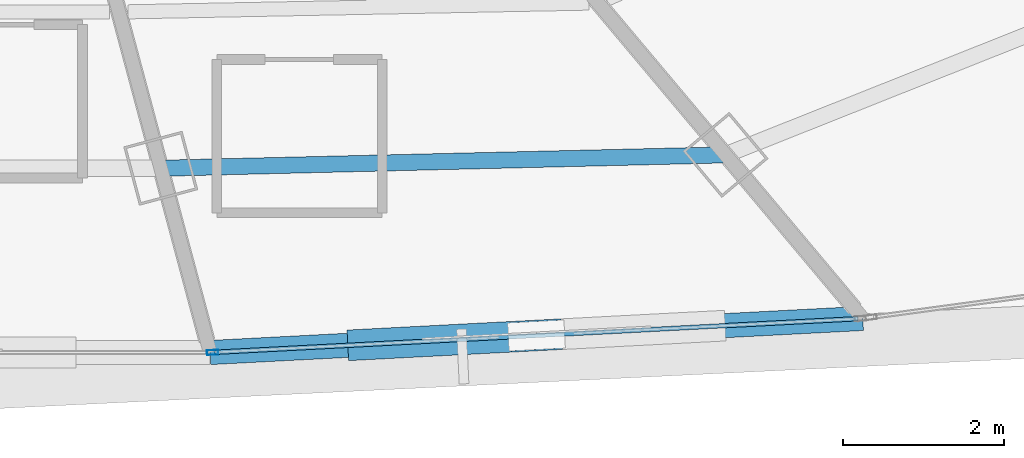
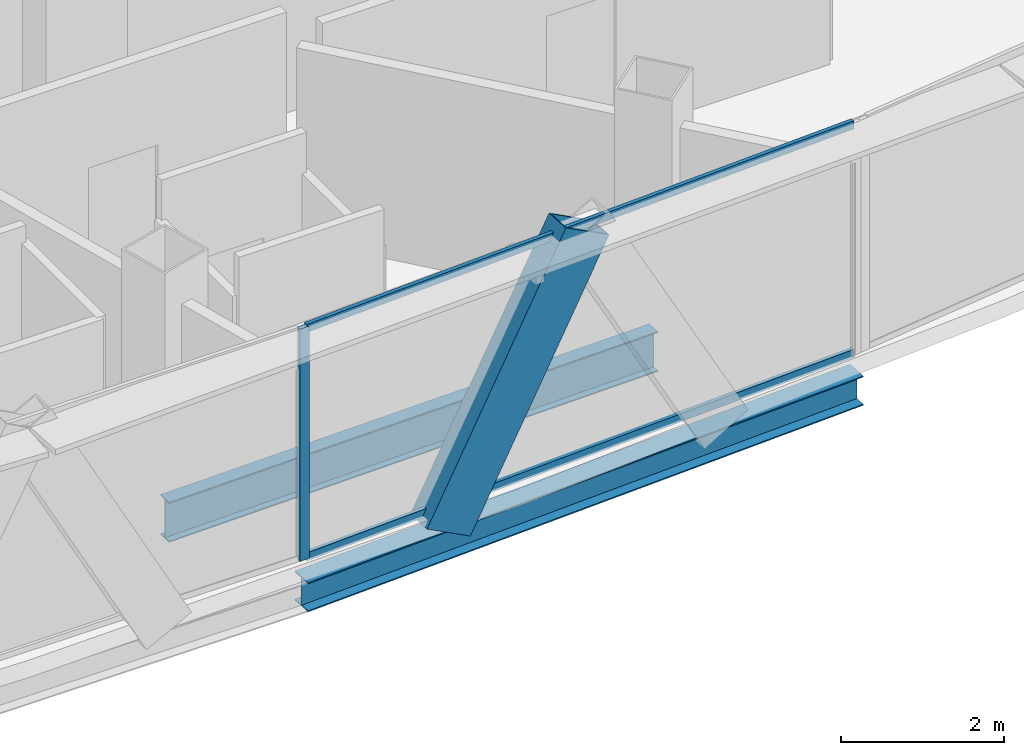
# One storey, part 10 of 40: 4 members, 2 beams, 1 element without a shape of its own.
"""IFC4 building model written with IfcOpenShell, lengths in metres."""

from ifc_helpers import new_model, si_unit, direction, frame, origin, origin_2d, place, context, subcontext, project, spatial, hollow_rectangle, i_section, extrude, source, transform, mapped, material, layer, layer_set, material_profile, profile_set, type_object, element, aggregate, save


model = new_model("IFC4")

# Units and contexts
model_context = context("Model", 3, precision=1e-05, world=origin(), true_north=direction((0.0, 1.0)))
body_context = subcontext(model_context, "Body", "Model", "MODEL_VIEW")
ifc_project = project(units=[si_unit("LENGTHUNIT", "METRE"), si_unit("AREAUNIT", "SQUARE_METRE"), si_unit("VOLUMEUNIT", "CUBIC_METRE"), si_unit("PLANEANGLEUNIT", "RADIAN"), si_unit("MASSUNIT", "GRAM", prefix="KILO"), si_unit("THERMODYNAMICTEMPERATUREUNIT", "KELVIN"), si_unit("POWERUNIT", "WATT")], contexts=[model_context])

# Site, building, storey
site_placement = place(None, origin())
site = spatial("IfcSite", under=ifc_project, at=site_placement, CompositionType="ELEMENT")
building_placement = place(site_placement, origin())
building = spatial("IfcBuilding", under=site, at=building_placement, Name="Yunzhuo Pagoda Commons", CompositionType="ELEMENT")
storey_placement = place(building_placement, frame((0.0, 0.0, 292.47998046875)))
storey = spatial("IfcBuildingStorey", under=building, at=storey_placement, Name="L73", CompositionType="ELEMENT", Elevation=292.47998046875)

# Beams
ifc_material_1 = material(Name="Structural steel Q355B", Category="steel")
ifc_material_profile_1 = material_profile(ifc_material_1, i_section(OverallWidth=0.199951171875, OverallDepth=0.60009765625, WebThickness=0.010986328125, FlangeThickness=0.01708984375, at=origin_2d()), Name="Structural steel Q355B")
ifc_profile_set_1 = profile_set([ifc_material_profile_1], Name="Structural steel Q355B")
beam_type_1 = type_object("IfcBeamType", Name="B-RG3 Beam HN 600x200x11x17", PredefinedType="BEAM", material=ifc_profile_set_1)
shared_shape_1 = source(origin(), body_context, "Body", "SweptSolid", [
    extrude(i_section(OverallWidth=0.199951171875, OverallDepth=0.60009765625, WebThickness=0.010986328125, FlangeThickness=0.01708984375, at=origin_2d()), origin(), (0.0, 0.0, 1.0), 7.0048828125),
])
beam_1_placement = place(storey_placement, frame((51.3505859375, 21.195556640625, -0.56005859375), z_axis=(0.99971911704, 0.023699937233, 0.0), x_axis=(-0.023699937233, 0.99971911704, 0.0)))
element("IfcBeam", 1, at=beam_1_placement, inside=storey, type_object=beam_type_1, Name="L73 column-ring beam 3", PredefinedType="BEAM", context=body_context, shape_type="MappedRepresentation", body=[
    mapped(shared_shape_1, transform((0.0, 0.0, 0.0), scale=1.0)),
])
ifc_material_profile_2 = material_profile(ifc_material_1, i_section(OverallWidth=0.300048828125, OverallDepth=0.43994140625, WebThickness=0.010986328125, FlangeThickness=0.01806640625, at=origin_2d()), Name="Structural steel Q355B")
ifc_profile_set_2 = profile_set([ifc_material_profile_2], Name="Structural steel Q355B")
beam_type_2 = type_object("IfcBeamType", Name="B-SP2 Beam HM 440x300x11x18", PredefinedType="BEAM", material=ifc_profile_set_2)
shared_shape_2 = source(origin(), body_context, "Body", "SweptSolid", [
    extrude(i_section(OverallWidth=0.300048828125, OverallDepth=0.43994140625, WebThickness=0.010986328125, FlangeThickness=0.01806640625, at=origin_2d()), origin(), (0.0, 0.0, 1.0), 8.10302734375),
])
beam_2_placement = place(storey_placement, frame((51.962890625, 18.910888671875, -0.47998046875), z_axis=(0.998639054255, 0.052153996166, 0.0), x_axis=(-0.052153996166, 0.998639054255, 0.0)))
element("IfcBeam", 2, at=beam_2_placement, inside=storey, type_object=beam_type_2, Name="L73 facade edge spandrel beam F1.3", PredefinedType="BEAM", context=body_context, shape_type="MappedRepresentation", body=[
    mapped(shared_shape_2, transform((0.0, 0.0, 0.0), scale=1.0)),
])

# Member
ifc_material_profile_3 = material_profile(ifc_material_1, hollow_rectangle(XDim=0.3798828125, YDim=0.719970703125, WallThickness=0.02001953125, at=origin_2d()), Name="Structural steel Q355B")
ifc_profile_set_3 = profile_set([ifc_material_profile_3], Name="Structural steel Q355B")
member_type_1 = type_object("IfcMemberType", Name="M-DL3 Brace BOX 720x380x20", PredefinedType="BRACE", material=ifc_profile_set_3)
shared_shape_3 = source(origin(), body_context, "Body", "SweptSolid", [
    extrude(hollow_rectangle(XDim=0.3798828125, YDim=0.719970703125, WallThickness=0.02001953125, at=origin_2d()), origin(), (0.0, 0.0, 1.0), 4.24462890625),
])
member_1_placement = place(storey_placement, frame((53.98583984375, 19.016357421875, -0.260009765625), z_axis=(0.476598580338, 0.02490552562, 0.878768176491), x_axis=(-0.052185613721, 0.998637402524, 0.0)))
element("IfcMember", 3, at=member_1_placement, inside=storey, type_object=member_type_1, Name="L73 facade diamond brace F1.3L", PredefinedType="BRACE", context=body_context, shape_type="MappedRepresentation", body=[
    mapped(shared_shape_3, transform((0.0, 0.0, 0.0), scale=1.0)),
])

# Curtain wall, members
ifc_material_2 = material(Name="Anodized aluminium 6063-T6", Category="aluminium")
ifc_layer = layer(ifc_material_2, 0.139892578125)
ifc_layer_set = layer_set([ifc_layer], Name="Anodized aluminium 6063-T6")
curtain_wall_type = type_object("IfcCurtainWallType", Name="CW-HI High-Zone Ribbon Curtain Wall", PredefinedType="NOTDEFINED", material=ifc_layer_set)
curtain_wall_placement = place(storey_placement, origin())
curtain_wall = element("IfcCurtainWall", 4, at=curtain_wall_placement, inside=storey, type_object=curtain_wall_type, Name="L73 curtain wall CW-L73-F1B4", PredefinedType="NOTDEFINED")
ifc_material_profile_4 = material_profile(ifc_material_2, hollow_rectangle(XDim=0.06005859375, YDim=0.139892578125, WallThickness=0.00341796875, at=origin_2d()), Name="Anodized aluminium 6063-T6")
ifc_profile_set_4 = profile_set([ifc_material_profile_4], Name="Anodized aluminium 6063-T6")
member_type_2 = type_object("IfcMemberType", Name="CW-HI-M Mullion RHS 140x60x3.5", PredefinedType="MULLION", material=ifc_profile_set_4)
shared_shape_4 = source(origin(), body_context, "Body", "SweptSolid", [
    extrude(hollow_rectangle(XDim=0.06005859375, YDim=0.139892578125, WallThickness=0.00341796875, at=origin_2d()), origin(), (0.0, 0.0, 1.0), 3.4697265625),
])
member_2_placement = place(storey_placement, frame((51.99267578125, 18.912109375, 0.000244140625), z_axis=(0.0, 0.0, 1.0), x_axis=(-0.052189625547, 0.998637192871, 0.0)))
member_2 = element("IfcMember", 5, at=member_2_placement, type_object=member_type_2, Name="CW mullion 1", PredefinedType="MULLION", context=body_context, shape_type="MappedRepresentation", body=[
    mapped(shared_shape_4, transform((0.0, 0.0, 0.0), scale=1.0)),
])
ifc_material_profile_5 = material_profile(ifc_material_2, hollow_rectangle(XDim=0.054931640625, YDim=0.1201171875, WallThickness=0.00341796875, at=origin_2d()), Name="Anodized aluminium 6063-T6")
ifc_profile_set_5 = profile_set([ifc_material_profile_5], Name="Anodized aluminium 6063-T6")
member_type_3 = type_object("IfcMemberType", Name="CW-HI-T Transom RHS 120x55x3.5", PredefinedType="USERDEFINED", material=ifc_profile_set_5)
shared_shape_5 = source(origin(), body_context, "Body", "SweptSolid", [
    extrude(hollow_rectangle(XDim=0.054931640625, YDim=0.1201171875, WallThickness=0.00341796875, at=origin_2d()), origin(), (0.0, 0.0, 1.0), 7.983154296875),
])
member_3_placement = place(storey_placement, frame((52.022705078125, 18.913818359375, 0.027587890625), z_axis=(0.998638030657, 0.052173592218, 0.0), x_axis=(-0.052173592218, 0.998638030657, 0.0)))
member_3 = element("IfcMember", 6, at=member_3_placement, type_object=member_type_3, Name="CW transom 1.1", ObjectType="TRANSOM", PredefinedType="USERDEFINED", context=body_context, shape_type="MappedRepresentation", body=[
    mapped(shared_shape_5, transform((0.0, 0.0, 0.0), scale=1.0)),
])
member_4_placement = place(storey_placement, frame((52.022705078125, 18.913818359375, 3.442626953125), z_axis=(0.998638030657, 0.052173592218, 0.0), x_axis=(-0.052173592218, 0.998638030657, 0.0)))
member_4 = element("IfcMember", 7, at=member_4_placement, type_object=member_type_3, Name="CW transom 1.2", ObjectType="TRANSOM", PredefinedType="USERDEFINED", context=body_context, shape_type="MappedRepresentation", body=[
    mapped(shared_shape_5, transform((0.0, 0.0, 0.0), scale=1.0)),
])
aggregate(curtain_wall, [member_2, member_3, member_4])

save(model, "model.ifc")
